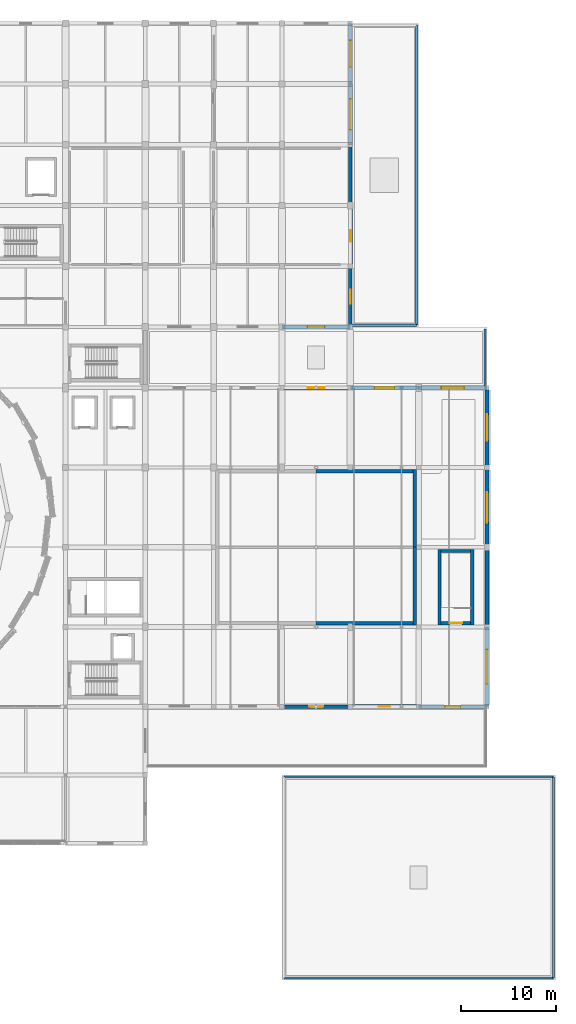
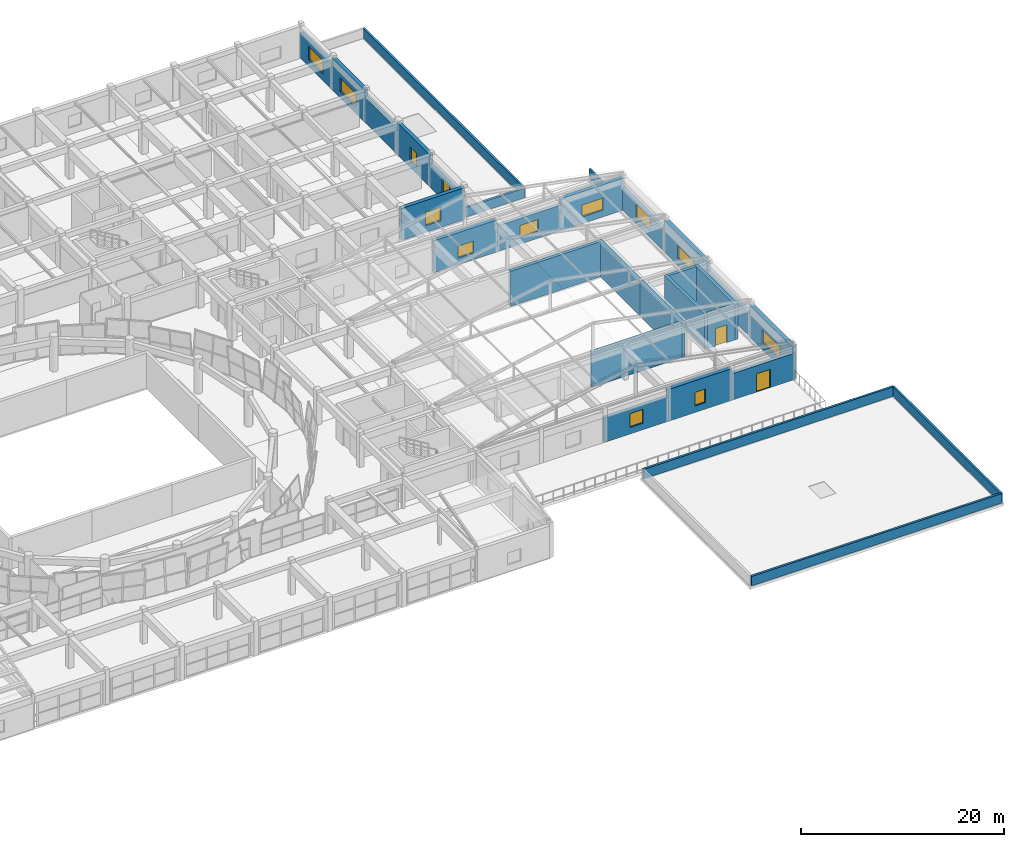
# One storey, part 62 of 74: 30 walls, 13 windows, 2 doors, 15 openings.
"""IFC4 building model written with IfcOpenShell, lengths in metres."""

from ifc_helpers import new_model, si_unit, direction, frame, frame_2d, origin, place, context, subcontext, project, spatial, rectangle, extrude, material, layer, layer_set, type_object, element, fill, save


model = new_model("IFC4")

# Units and contexts
model_context = context("Model", 3, precision=1e-05, world=origin(), true_north=direction((0.0, 1.0)))
body_context = subcontext(model_context, "Body", "Model", "MODEL_VIEW")
ifc_project = project(units=[si_unit("LENGTHUNIT", "METRE"), si_unit("AREAUNIT", "SQUARE_METRE"), si_unit("VOLUMEUNIT", "CUBIC_METRE"), si_unit("PLANEANGLEUNIT", "RADIAN"), si_unit("MASSUNIT", "GRAM", prefix="KILO")], contexts=[model_context])

# Site, building, storey
site_placement = place(None, origin())
site = spatial("IfcSite", under=ifc_project, at=site_placement, CompositionType="ELEMENT")
building_placement = place(site_placement, origin())
building = spatial("IfcBuilding", under=site, at=building_placement, Name="Korsvaeld Concert Hall", CompositionType="ELEMENT")
storey_placement = place(building_placement, frame((0.0, 0.0, 9.0)))
storey = spatial("IfcBuildingStorey", under=building, at=storey_placement, Name="L02", CompositionType="ELEMENT", Elevation=9.0)

# Wall, opening, door
ifc_material_1 = material(Name="Concrete C40/50", Category="concrete")
ifc_layer_1 = layer(ifc_material_1, 0.340087890625)
ifc_layer_set_1 = layer_set([ifc_layer_1], Name="Concrete C40/50")
wall_type_1 = type_object("IfcWallType", Name="WL-CORE-340", PredefinedType="SHEAR", material=ifc_layer_set_1)
wall_1_placement = place(storey_placement, frame((148.77001953125, 52.0, 0.0), z_axis=(0.0, 0.0, 1.0), x_axis=(1.0, 0.0, 0.0)))
wall_1 = element("IfcWall", 1, at=wall_1_placement, inside=storey, type_object=wall_type_1, Name="Core V2S shear wall L02 S", PredefinedType="SHEAR", context=body_context, shape_type="SweptSolid", body=[
    extrude(rectangle(XDim=3.10009765625, YDim=0.340087890625, at=frame_2d((1.550048828125, 0.0))), origin(), (0.0, 0.0, 1.0), 4.199951171875),
])
opening_1_placement = place(wall_1_placement, frame((0.89990234375, 0.0, 0.0)))
opening_1 = element("IfcOpeningElement", 2, at=opening_1_placement, cuts=wall_1, Name="Opening FD-01", PredefinedType="OPENING", context=body_context, shape_type="SweptSolid", body=[
    extrude(rectangle(XDim=1.300048828125, YDim=2.14990234375, at=frame_2d((0.64990234375, 1.074951171875))), frame((0.0, 0.18017578125, 0.0), z_axis=(0.0, -1.0, 0.0), x_axis=(1.0, 0.0, 0.0)), (0.0, 0.0, 1.0), 0.360107421875),
])
ifc_material_2 = material(Name="Acoustic steel and oak fire door", Category="steel")
door_type_1 = type_object("IfcDoorType", Name="DR-FD-STAIR-130x215", OperationType="NOTDEFINED", PredefinedType="DOOR", material=ifc_material_2)
door_1_placement = place(opening_1_placement, origin())
door_1 = element("IfcDoor", 3, at=door_1_placement, inside=storey, type_object=door_type_1, Name="Escape stair ST-F4 fire door L02", OperationType="SINGLE_SWING_RIGHT", OverallHeight=2.14990234375, OverallWidth=1.300048828125, PredefinedType="DOOR", context=body_context, shape_type="SweptSolid", body=[
    extrude(rectangle(XDim=1.300048828125, YDim=2.14990234375, at=frame_2d((0.64990234375, 1.074951171875))), frame((0.0, 0.02490234375, 0.0), z_axis=(0.0, -1.0, 0.0), x_axis=(1.0, 0.0, 0.0)), (0.0, 0.0, 1.0), 0.050048828125),
])
fill(opening_1, door_1)

# Walls
wall_2_placement = place(storey_placement, frame((152.0400390625, 51.830078125, 0.0), z_axis=(0.0, 0.0, 1.0), x_axis=(0.0, 1.0, 0.0)))
element("IfcWall", 4, at=wall_2_placement, inside=storey, type_object=wall_type_1, Name="Core V2S shear wall L02 E", PredefinedType="SHEAR", context=body_context, shape_type="SweptSolid", body=[
    extrude(rectangle(XDim=7.93994140625, YDim=0.340087890625, at=frame_2d((3.969970703125, 0.0))), origin(), (0.0, 0.0, 1.0), 4.199951171875),
])
wall_3_placement = place(storey_placement, frame((151.8701171875, 59.60009765625, 0.0), z_axis=(0.0, 0.0, 1.0), x_axis=(-1.0, 0.0, 0.0)))
element("IfcWall", 5, at=wall_3_placement, inside=storey, type_object=wall_type_1, Name="Core V2S shear wall L02 N", PredefinedType="SHEAR", context=body_context, shape_type="SweptSolid", body=[
    extrude(rectangle(XDim=3.10009765625, YDim=0.340087890625, at=frame_2d((1.550048828125, 0.0))), origin(), (0.0, 0.0, 1.0), 4.199951171875),
])
wall_4_placement = place(storey_placement, frame((148.60009765625, 59.77001953125, 0.0), z_axis=(0.0, 0.0, 1.0), x_axis=(0.0, -1.0, 0.0)))
element("IfcWall", 6, at=wall_4_placement, inside=storey, type_object=wall_type_1, Name="Core V2S shear wall L02 W", PredefinedType="SHEAR", context=body_context, shape_type="SweptSolid", body=[
    extrude(rectangle(XDim=7.93994140625, YDim=0.340087890625, at=frame_2d((3.969970703125, 0.0))), origin(), (0.0, 0.0, 1.0), 4.199951171875),
])

# Wall, opening, window
ifc_material_3 = material(Name="Obernkirchener buff sandstone rainscreen on Concrete C35/45", Category="masonry")
ifc_layer_2 = layer(ifc_material_3, 0.389892578125)
ifc_layer_set_2 = layer_set([ifc_layer_2], Name="Obernkirchener buff sandstone rainscreen on Concrete C35/45")
wall_type_2 = type_object("IfcWallType", Name="WL-EXT-BUFF-390", PredefinedType="STANDARD", material=ifc_layer_set_2)
wall_5_placement = place(storey_placement, frame((139.199951171875, 115.199951171875, 0.0), z_axis=(0.0, 0.0, 1.0), x_axis=(0.0, -1.0, 0.0)))
wall_5 = element("IfcWall", 7, at=wall_5_placement, inside=storey, type_object=wall_type_2, Name="Exterior sandstone wall L02-256", PredefinedType="STANDARD", context=body_context, shape_type="SweptSolid", body=[
    extrude(rectangle(XDim=6.39990234375, YDim=0.389892578125, at=frame_2d((3.199951171875, 0.0))), origin(), (0.0, 0.0, 1.0), 2.989990234375),
])
opening_2_placement = place(wall_5_placement, frame((1.800048828125, 0.0, 0.800048828125)))
opening_2 = element("IfcOpeningElement", 8, at=opening_2_placement, cuts=wall_5, Name="Opening WN-14", PredefinedType="OPENING", context=body_context, shape_type="SweptSolid", body=[
    extrude(rectangle(XDim=2.800048828125, YDim=1.60009765625, at=frame_2d((1.39990234375, 0.800048828125))), frame((0.0, 0.205078125, 0.0), z_axis=(0.0, -1.0, 0.0), x_axis=(1.0, 0.0, 0.0)), (0.0, 0.0, 1.0), 0.409912109375),
])
ifc_material_4 = material(Name="Anodised bronze frame with acoustic triple glazing", Category="glass")
window_type_1 = type_object("IfcWindowType", Name="WIN-AC-280x160", PartitioningType="TRIPLE_PANEL_VERTICAL", PredefinedType="WINDOW", material=ifc_material_4)
window_1_placement = place(opening_2_placement, origin())
window_1 = element("IfcWindow", 9, at=window_1_placement, inside=storey, type_object=window_type_1, Name="Acoustic triple-glazed window L02-160", OverallHeight=1.60009765625, OverallWidth=2.800048828125, PartitioningType="TRIPLE_PANEL_VERTICAL", PredefinedType="WINDOW", context=body_context, shape_type="SweptSolid", body=[
    extrude(rectangle(XDim=2.800048828125, YDim=1.60009765625, at=frame_2d((1.39990234375, 0.800048828125))), frame((0.0, 0.030029296875, 0.0), z_axis=(0.0, -1.0, 0.0), x_axis=(1.0, 0.0, 0.0)), (0.0, 0.0, 1.0), 0.06005859375),
])
fill(opening_2, window_1)

# Wall
wall_6_placement = place(storey_placement, frame((139.199951171875, 102.39990234375, 0.0), z_axis=(0.0, 0.0, 1.0), x_axis=(0.0, -1.0, 0.0)))
element("IfcWall", 10, at=wall_6_placement, inside=storey, type_object=wall_type_2, Name="Exterior sandstone wall L02-258", PredefinedType="STANDARD", context=body_context, shape_type="SweptSolid", body=[
    extrude(rectangle(XDim=6.39990234375, YDim=0.389892578125, at=frame_2d((3.199951171875, 0.0))), origin(), (0.0, 0.0, 1.0), 3.0400390625),
])

# Wall, opening, window
wall_7_placement = place(storey_placement, frame((139.199951171875, 89.60009765625, 0.0), z_axis=(0.0, 0.0, 1.0), x_axis=(0.0, -1.0, 0.0)))
wall_7 = element("IfcWall", 11, at=wall_7_placement, inside=storey, type_object=wall_type_2, Name="Exterior sandstone wall L02-260", PredefinedType="STANDARD", context=body_context, shape_type="SweptSolid", body=[
    extrude(rectangle(XDim=6.400146484375, YDim=0.389892578125, at=frame_2d((3.2001953125, 0.0))), origin(), (0.0, 0.0, 1.0), 2.639892578125),
])
opening_3_placement = place(wall_7_placement, frame((2.449951171875, 0.0, 0.800048828125)))
opening_3 = element("IfcOpeningElement", 12, at=opening_3_placement, cuts=wall_7, Name="Opening WN-02", PredefinedType="OPENING", context=body_context, shape_type="SweptSolid", body=[
    extrude(rectangle(XDim=1.5, YDim=1.64990234375, at=frame_2d((0.75, 0.824951171875))), frame((0.0, 0.205078125, 0.0), z_axis=(0.0, -1.0, 0.0), x_axis=(1.0, 0.0, 0.0)), (0.0, 0.0, 1.0), 0.409912109375),
])
window_type_2 = type_object("IfcWindowType", Name="WIN-AC-150x165", PartitioningType="SINGLE_PANEL", PredefinedType="WINDOW", material=ifc_material_4)
window_2_placement = place(opening_3_placement, origin())
window_2 = element("IfcWindow", 13, at=window_2_placement, inside=storey, type_object=window_type_2, Name="Acoustic triple-glazed window L02-164", OverallHeight=1.64990234375, OverallWidth=1.5, PartitioningType="SINGLE_PANEL", PredefinedType="WINDOW", context=body_context, shape_type="SweptSolid", body=[
    extrude(rectangle(XDim=1.5, YDim=1.64990234375, at=frame_2d((0.75, 0.824951171875))), frame((0.0, 0.030029296875, 0.0), z_axis=(0.0, -1.0, 0.0), x_axis=(1.0, 0.0, 0.0)), (0.0, 0.0, 1.0), 0.06005859375),
])
fill(opening_3, window_2)

wall_8_placement = place(storey_placement, frame((139.199951171875, 76.800048828125, 0.0), z_axis=(0.0, 0.0, 1.0), x_axis=(1.0, 0.0, 0.0)))
wall_8 = element("IfcWall", 14, at=wall_8_placement, inside=storey, type_object=wall_type_2, Name="Exterior sandstone wall L02-268", PredefinedType="STANDARD", context=body_context, shape_type="SweptSolid", body=[
    extrude(rectangle(XDim=7.199951171875, YDim=0.389892578125, at=frame_2d((3.60009765625, 0.0))), origin(), (0.0, 0.0, 1.0), 3.090087890625),
])
opening_4_placement = place(wall_8_placement, frame((2.550048828125, 0.0, 0.800048828125)))
opening_4 = element("IfcOpeningElement", 15, at=opening_4_placement, cuts=wall_8, Name="Opening WN-09", PredefinedType="OPENING", context=body_context, shape_type="SweptSolid", body=[
    extrude(rectangle(XDim=2.10009765625, YDim=1.449951171875, at=frame_2d((1.050048828125, 0.72509765625))), frame((0.0, 0.205078125, 0.0), z_axis=(0.0, -1.0, 0.0), x_axis=(1.0, 0.0, 0.0)), (0.0, 0.0, 1.0), 0.409912109375),
])
window_type_3 = type_object("IfcWindowType", Name="WIN-AC-210x145", PartitioningType="SINGLE_PANEL", PredefinedType="WINDOW", material=ifc_material_4)
window_3_placement = place(opening_4_placement, origin())
window_3 = element("IfcWindow", 16, at=window_3_placement, inside=storey, type_object=window_type_3, Name="Acoustic triple-glazed window L02-171", OverallHeight=1.449951171875, OverallWidth=2.10009765625, PartitioningType="SINGLE_PANEL", PredefinedType="WINDOW", context=body_context, shape_type="SweptSolid", body=[
    extrude(rectangle(XDim=2.10009765625, YDim=1.449951171875, at=frame_2d((1.050048828125, 0.72509765625))), frame((0.0, 0.030029296875, 0.0), z_axis=(0.0, -1.0, 0.0), x_axis=(1.0, 0.0, 0.0)), (0.0, 0.0, 1.0), 0.06005859375),
])
fill(opening_4, window_3)

wall_9_placement = place(storey_placement, frame((153.60009765625, 76.800048828125, 0.0), z_axis=(0.0, 0.0, 1.0), x_axis=(0.0, -1.0, 0.0)))
wall_9 = element("IfcWall", 17, at=wall_9_placement, inside=storey, type_object=wall_type_2, Name="Exterior sandstone wall L02-270", PredefinedType="STANDARD", context=body_context, shape_type="SweptSolid", body=[
    extrude(rectangle(XDim=8.400146484375, YDim=0.389892578125, at=frame_2d((4.2001953125, 0.0))), origin(), (0.0, 0.0, 1.0), 2.639892578125),
])
opening_5_placement = place(wall_9_placement, frame((2.800048828125, 0.0, 0.800048828125)))
opening_5 = element("IfcOpeningElement", 18, at=opening_5_placement, cuts=wall_9, Name="Opening WN-14", PredefinedType="OPENING", context=body_context, shape_type="SweptSolid", body=[
    extrude(rectangle(XDim=2.800048828125, YDim=1.60009765625, at=frame_2d((1.39990234375, 0.800048828125))), frame((0.0, 0.205078125, 0.0), z_axis=(0.0, -1.0, 0.0), x_axis=(1.0, 0.0, 0.0)), (0.0, 0.0, 1.0), 0.409912109375),
])
window_4_placement = place(opening_5_placement, origin())
window_4 = element("IfcWindow", 19, at=window_4_placement, inside=storey, type_object=window_type_1, Name="Acoustic triple-glazed window L02-173", OverallHeight=1.60009765625, OverallWidth=2.800048828125, PartitioningType="TRIPLE_PANEL_VERTICAL", PredefinedType="WINDOW", context=body_context, shape_type="SweptSolid", body=[
    extrude(rectangle(XDim=2.800048828125, YDim=1.60009765625, at=frame_2d((1.39990234375, 0.800048828125))), frame((0.0, 0.030029296875, 0.0), z_axis=(0.0, -1.0, 0.0), x_axis=(1.0, 0.0, 0.0)), (0.0, 0.0, 1.0), 0.06005859375),
])
fill(opening_5, window_4)

# Wall
wall_10_placement = place(storey_placement, frame((153.60009765625, 60.0, 0.0), z_axis=(0.0, 0.0, 1.0), x_axis=(0.0, -1.0, 0.0)))
element("IfcWall", 20, at=wall_10_placement, inside=storey, type_object=wall_type_2, Name="Exterior sandstone wall L02-272", PredefinedType="STANDARD", context=body_context, shape_type="SweptSolid", body=[
    extrude(rectangle(XDim=8.39990234375, YDim=0.389892578125, at=frame_2d((4.199951171875, 0.0))), origin(), (0.0, 0.0, 1.0), 2.739990234375),
])

# Wall, opening, door
wall_11_placement = place(storey_placement, frame((153.60009765625, 43.199951171875, 0.0), z_axis=(0.0, 0.0, 1.0), x_axis=(-1.0, 0.0, 0.0)))
wall_11 = element("IfcWall", 21, at=wall_11_placement, inside=storey, type_object=wall_type_2, Name="Exterior sandstone wall L02-274", PredefinedType="STANDARD", context=body_context, shape_type="SweptSolid", body=[
    extrude(rectangle(XDim=7.2001953125, YDim=0.389892578125, at=frame_2d((3.60009765625, 0.0))), origin(), (0.0, 0.0, 1.0), 3.18994140625),
])
opening_6_placement = place(wall_11_placement, frame((2.800048828125, 0.0, 0.0)))
opening_6 = element("IfcOpeningElement", 22, at=opening_6_placement, cuts=wall_11, Name="Opening TD-02", PredefinedType="OPENING", context=body_context, shape_type="SweptSolid", body=[
    extrude(rectangle(XDim=1.60009765625, YDim=2.199951171875, at=frame_2d((0.800048828125, 1.10009765625))), frame((0.0, 0.205078125, 0.0), z_axis=(0.0, -1.0, 0.0), x_axis=(1.0, 0.0, 0.0)), (0.0, 0.0, 1.0), 0.409912109375),
])
ifc_material_5 = material(Name="Anodised bronze terrace door")
door_type_2 = type_object("IfcDoorType", Name="DR-TER-160x220", OperationType="DOUBLE_DOOR_SINGLE_SWING", PredefinedType="DOOR", material=ifc_material_5)
door_2_placement = place(opening_6_placement, frame((1.60009765625, 0.0, 0.0), z_axis=(0.0, 0.0, 1.0), x_axis=(-1.0, 0.0, 0.0)))
door_2 = element("IfcDoor", 23, at=door_2_placement, inside=storey, type_object=door_type_2, Name="Roof-garden terrace access door TER_L02_E", OperationType="DOUBLE_DOOR_SINGLE_SWING", OverallHeight=2.199951171875, OverallWidth=1.60009765625, PredefinedType="DOOR", context=body_context, shape_type="SweptSolid", body=[
    extrude(rectangle(XDim=1.60009765625, YDim=2.199951171875, at=frame_2d((0.800048828125, 1.10009765625))), frame((0.0, 0.02490234375, 0.0), z_axis=(0.0, -1.0, 0.0), x_axis=(1.0, 0.0, 0.0)), (0.0, 0.0, 1.0), 0.050048828125),
])
fill(opening_6, door_2)

# Wall, opening, window
wall_12_placement = place(storey_placement, frame((139.199951171875, 43.199951171875, 0.0), z_axis=(0.0, 0.0, 1.0), x_axis=(-1.0, 0.0, 0.0)))
wall_12 = element("IfcWall", 24, at=wall_12_placement, inside=storey, type_object=wall_type_2, Name="Exterior sandstone wall L02-276", PredefinedType="STANDARD", context=body_context, shape_type="SweptSolid", body=[
    extrude(rectangle(XDim=7.199951171875, YDim=0.389892578125, at=frame_2d((3.60009765625, 0.0))), origin(), (0.0, 0.0, 1.0), 2.93994140625),
])
opening_7_placement = place(wall_12_placement, frame((2.85009765625, 0.0, 0.800048828125)))
opening_7 = element("IfcOpeningElement", 25, at=opening_7_placement, cuts=wall_12, Name="Opening WN-02", PredefinedType="OPENING", context=body_context, shape_type="SweptSolid", body=[
    extrude(rectangle(XDim=1.5, YDim=1.64990234375, at=frame_2d((0.75, 0.824951171875))), frame((0.0, 0.205078125, 0.0), z_axis=(0.0, -1.0, 0.0), x_axis=(1.0, 0.0, 0.0)), (0.0, 0.0, 1.0), 0.409912109375),
])
window_5_placement = place(opening_7_placement, origin())
window_5 = element("IfcWindow", 26, at=window_5_placement, inside=storey, type_object=window_type_2, Name="Acoustic triple-glazed window L02-177", OverallHeight=1.64990234375, OverallWidth=1.5, PartitioningType="SINGLE_PANEL", PredefinedType="WINDOW", context=body_context, shape_type="SweptSolid", body=[
    extrude(rectangle(XDim=1.5, YDim=1.64990234375, at=frame_2d((0.75, 0.824951171875))), frame((0.0, 0.030029296875, 0.0), z_axis=(0.0, -1.0, 0.0), x_axis=(1.0, 0.0, 0.0)), (0.0, 0.0, 1.0), 0.06005859375),
])
fill(opening_7, window_5)

ifc_material_6 = material(Name="Bornholm Nexo rose-red sandstone rainscreen on Concrete C35/45", Category="masonry")
ifc_layer_3 = layer(ifc_material_6, 0.419921875)
ifc_layer_set_3 = layer_set([ifc_layer_3], Name="Bornholm Nexo rose-red sandstone rainscreen on Concrete C35/45")
wall_type_3 = type_object("IfcWallType", Name="WL-EXT-NEXO-420", PredefinedType="STANDARD", material=ifc_layer_set_3)
wall_13_placement = place(storey_placement, frame((139.199951171875, 108.800048828125, 0.0), z_axis=(0.0, 0.0, 1.0), x_axis=(0.0, -1.0, 0.0)))
wall_13 = element("IfcWall", 27, at=wall_13_placement, inside=storey, type_object=wall_type_3, Name="Exterior sandstone wall L02-257", PredefinedType="STANDARD", context=body_context, shape_type="SweptSolid", body=[
    extrude(rectangle(XDim=6.400146484375, YDim=0.419921875, at=frame_2d((3.2001953125, 0.0))), origin(), (0.0, 0.0, 1.0), 3.840087890625),
])
opening_8_placement = place(wall_13_placement, frame((1.60009765625, 0.0, 0.800048828125)))
opening_8 = element("IfcOpeningElement", 28, at=opening_8_placement, cuts=wall_13, Name="Opening WN-15", PredefinedType="OPENING", context=body_context, shape_type="SweptSolid", body=[
    extrude(rectangle(XDim=3.199951171875, YDim=1.60009765625, at=frame_2d((1.60009765625, 0.800048828125))), frame((0.0, 0.219970703125, 0.0), z_axis=(0.0, -1.0, 0.0), x_axis=(1.0, 0.0, 0.0)), (0.0, 0.0, 1.0), 0.43994140625),
])
window_type_4 = type_object("IfcWindowType", Name="WIN-AC-320x160", PartitioningType="TRIPLE_PANEL_VERTICAL", PredefinedType="WINDOW", material=ifc_material_4)
window_6_placement = place(opening_8_placement, origin())
window_6 = element("IfcWindow", 29, at=window_6_placement, inside=storey, type_object=window_type_4, Name="Acoustic triple-glazed window L02-161", OverallHeight=1.60009765625, OverallWidth=3.199951171875, PartitioningType="TRIPLE_PANEL_VERTICAL", PredefinedType="WINDOW", context=body_context, shape_type="SweptSolid", body=[
    extrude(rectangle(XDim=3.199951171875, YDim=1.60009765625, at=frame_2d((1.60009765625, 0.800048828125))), frame((0.0, 0.030029296875, 0.0), z_axis=(0.0, -1.0, 0.0), x_axis=(1.0, 0.0, 0.0)), (0.0, 0.0, 1.0), 0.06005859375),
])
fill(opening_8, window_6)

wall_14_placement = place(storey_placement, frame((139.199951171875, 96.0, 0.0), z_axis=(0.0, 0.0, 1.0), x_axis=(0.0, -1.0, 0.0)))
wall_14 = element("IfcWall", 30, at=wall_14_placement, inside=storey, type_object=wall_type_3, Name="Exterior sandstone wall L02-259", PredefinedType="STANDARD", context=body_context, shape_type="SweptSolid", body=[
    extrude(rectangle(XDim=6.39990234375, YDim=0.419921875, at=frame_2d((3.199951171875, 0.0))), origin(), (0.0, 0.0, 1.0), 3.840087890625),
])
opening_9_placement = place(wall_14_placement, frame((2.60009765625, 0.0, 0.800048828125)))
opening_9 = element("IfcOpeningElement", 31, at=opening_9_placement, cuts=wall_14, Name="Opening WN-01", PredefinedType="OPENING", context=body_context, shape_type="SweptSolid", body=[
    extrude(rectangle(XDim=1.199951171875, YDim=1.64990234375, at=frame_2d((0.60009765625, 0.824951171875))), frame((0.0, 0.219970703125, 0.0), z_axis=(0.0, -1.0, 0.0), x_axis=(1.0, 0.0, 0.0)), (0.0, 0.0, 1.0), 0.43994140625),
])
window_type_5 = type_object("IfcWindowType", Name="WIN-AC-120x165", PartitioningType="SINGLE_PANEL", PredefinedType="WINDOW", material=ifc_material_4)
window_7_placement = place(opening_9_placement, origin())
window_7 = element("IfcWindow", 32, at=window_7_placement, inside=storey, type_object=window_type_5, Name="Acoustic triple-glazed window L02-163", OverallHeight=1.64990234375, OverallWidth=1.199951171875, PartitioningType="SINGLE_PANEL", PredefinedType="WINDOW", context=body_context, shape_type="SweptSolid", body=[
    extrude(rectangle(XDim=1.199951171875, YDim=1.64990234375, at=frame_2d((0.60009765625, 0.824951171875))), frame((0.0, 0.030029296875, 0.0), z_axis=(0.0, -1.0, 0.0), x_axis=(1.0, 0.0, 0.0)), (0.0, 0.0, 1.0), 0.06005859375),
])
fill(opening_9, window_7)

wall_15_placement = place(storey_placement, frame((139.199951171875, 83.199951171875, 0.0), z_axis=(0.0, 0.0, 1.0), x_axis=(-1.0, 0.0, 0.0)))
wall_15 = element("IfcWall", 33, at=wall_15_placement, inside=storey, type_object=wall_type_3, Name="Exterior sandstone wall L02-261", PredefinedType="STANDARD", context=body_context, shape_type="SweptSolid", body=[
    extrude(rectangle(XDim=7.199951171875, YDim=0.419921875, at=frame_2d((3.60009765625, 0.0))), origin(), (0.0, 0.0, 1.0), 3.840087890625),
])
opening_10_placement = place(wall_15_placement, frame((2.699951171875, 0.0, 0.800048828125)))
opening_10 = element("IfcOpeningElement", 34, at=opening_10_placement, cuts=wall_15, Name="Opening WN-03", PredefinedType="OPENING", context=body_context, shape_type="SweptSolid", body=[
    extrude(rectangle(XDim=1.800048828125, YDim=1.64990234375, at=frame_2d((0.89990234375, 0.824951171875))), frame((0.0, 0.219970703125, 0.0), z_axis=(0.0, -1.0, 0.0), x_axis=(1.0, 0.0, 0.0)), (0.0, 0.0, 1.0), 0.43994140625),
])
window_type_6 = type_object("IfcWindowType", Name="WIN-AC-180x165", PartitioningType="SINGLE_PANEL", PredefinedType="WINDOW", material=ifc_material_4)
window_8_placement = place(opening_10_placement, origin())
window_8 = element("IfcWindow", 35, at=window_8_placement, inside=storey, type_object=window_type_6, Name="Acoustic triple-glazed window L02-165", OverallHeight=1.64990234375, OverallWidth=1.800048828125, PartitioningType="SINGLE_PANEL", PredefinedType="WINDOW", context=body_context, shape_type="SweptSolid", body=[
    extrude(rectangle(XDim=1.800048828125, YDim=1.64990234375, at=frame_2d((0.89990234375, 0.824951171875))), frame((0.0, 0.030029296875, 0.0), z_axis=(0.0, -1.0, 0.0), x_axis=(1.0, 0.0, 0.0)), (0.0, 0.0, 1.0), 0.06005859375),
])
fill(opening_10, window_8)

wall_16_placement = place(storey_placement, frame((132.0, 76.800048828125, 0.0), z_axis=(0.0, 0.0, 1.0), x_axis=(1.0, 0.0, 0.0)))
wall_16 = element("IfcWall", 36, at=wall_16_placement, inside=storey, type_object=wall_type_3, Name="Exterior sandstone wall L02-267", PredefinedType="STANDARD", context=body_context, shape_type="SweptSolid", body=[
    extrude(rectangle(XDim=7.199951171875, YDim=0.419921875, at=frame_2d((3.60009765625, 0.0))), origin(), (0.0, 0.0, 1.0), 3.840087890625),
])
opening_11_placement = place(wall_16_placement, frame((2.699951171875, 0.0, 0.800048828125)))
opening_11 = element("IfcOpeningElement", 37, at=opening_11_placement, cuts=wall_16, Name="Opening WN-08", PredefinedType="OPENING", context=body_context, shape_type="SweptSolid", body=[
    extrude(rectangle(XDim=1.800048828125, YDim=1.449951171875, at=frame_2d((0.89990234375, 0.72509765625))), frame((0.0, 0.219970703125, 0.0), z_axis=(0.0, -1.0, 0.0), x_axis=(1.0, 0.0, 0.0)), (0.0, 0.0, 1.0), 0.43994140625),
])
window_type_7 = type_object("IfcWindowType", Name="WIN-AC-180x145", PartitioningType="SINGLE_PANEL", PredefinedType="WINDOW", material=ifc_material_4)
window_9_placement = place(opening_11_placement, origin())
window_9 = element("IfcWindow", 38, at=window_9_placement, inside=storey, type_object=window_type_7, Name="Acoustic triple-glazed window L02-170", OverallHeight=1.449951171875, OverallWidth=1.800048828125, PartitioningType="SINGLE_PANEL", PredefinedType="WINDOW", context=body_context, shape_type="SweptSolid", body=[
    extrude(rectangle(XDim=1.800048828125, YDim=1.449951171875, at=frame_2d((0.89990234375, 0.72509765625))), frame((0.0, 0.030029296875, 0.0), z_axis=(0.0, -1.0, 0.0), x_axis=(1.0, 0.0, 0.0)), (0.0, 0.0, 1.0), 0.06005859375),
])
fill(opening_11, window_9)

wall_17_placement = place(storey_placement, frame((146.39990234375, 76.800048828125, 0.0), z_axis=(0.0, 0.0, 1.0), x_axis=(1.0, 0.0, 0.0)))
wall_17 = element("IfcWall", 39, at=wall_17_placement, inside=storey, type_object=wall_type_3, Name="Exterior sandstone wall L02-269", PredefinedType="STANDARD", context=body_context, shape_type="SweptSolid", body=[
    extrude(rectangle(XDim=7.2001953125, YDim=0.419921875, at=frame_2d((3.60009765625, 0.0))), origin(), (0.0, 0.0, 1.0), 3.840087890625),
])
opening_12_placement = place(wall_17_placement, frame((2.39990234375, 0.0, 0.800048828125)))
opening_12 = element("IfcOpeningElement", 40, at=opening_12_placement, cuts=wall_17, Name="Opening WN-10", PredefinedType="OPENING", context=body_context, shape_type="SweptSolid", body=[
    extrude(rectangle(XDim=2.39990234375, YDim=1.449951171875, at=frame_2d((1.199951171875, 0.72509765625))), frame((0.0, 0.219970703125, 0.0), z_axis=(0.0, -1.0, 0.0), x_axis=(1.0, 0.0, 0.0)), (0.0, 0.0, 1.0), 0.43994140625),
])
window_type_8 = type_object("IfcWindowType", Name="WIN-AC-240x145", PartitioningType="TRIPLE_PANEL_VERTICAL", PredefinedType="WINDOW", material=ifc_material_4)
window_10_placement = place(opening_12_placement, origin())
window_10 = element("IfcWindow", 41, at=window_10_placement, inside=storey, type_object=window_type_8, Name="Acoustic triple-glazed window L02-172", OverallHeight=1.449951171875, OverallWidth=2.39990234375, PartitioningType="TRIPLE_PANEL_VERTICAL", PredefinedType="WINDOW", context=body_context, shape_type="SweptSolid", body=[
    extrude(rectangle(XDim=2.39990234375, YDim=1.449951171875, at=frame_2d((1.199951171875, 0.72509765625))), frame((0.0, 0.030029296875, 0.0), z_axis=(0.0, -1.0, 0.0), x_axis=(1.0, 0.0, 0.0)), (0.0, 0.0, 1.0), 0.06005859375),
])
fill(opening_12, window_10)

wall_18_placement = place(storey_placement, frame((153.60009765625, 68.39990234375, 0.0), z_axis=(0.0, 0.0, 1.0), x_axis=(0.0, -1.0, 0.0)))
wall_18 = element("IfcWall", 42, at=wall_18_placement, inside=storey, type_object=wall_type_3, Name="Exterior sandstone wall L02-271", PredefinedType="STANDARD", context=body_context, shape_type="SweptSolid", body=[
    extrude(rectangle(XDim=8.39990234375, YDim=0.419921875, at=frame_2d((4.199951171875, 0.0))), origin(), (0.0, 0.0, 1.0), 3.840087890625),
])
opening_13_placement = place(wall_18_placement, frame((2.60009765625, 0.0, 0.800048828125)))
opening_13 = element("IfcOpeningElement", 43, at=opening_13_placement, cuts=wall_18, Name="Opening WN-15", PredefinedType="OPENING", context=body_context, shape_type="SweptSolid", body=[
    extrude(rectangle(XDim=3.199951171875, YDim=1.60009765625, at=frame_2d((1.60009765625, 0.800048828125))), frame((0.0, 0.219970703125, 0.0), z_axis=(0.0, -1.0, 0.0), x_axis=(1.0, 0.0, 0.0)), (0.0, 0.0, 1.0), 0.43994140625),
])
window_11_placement = place(opening_13_placement, origin())
window_11 = element("IfcWindow", 44, at=window_11_placement, inside=storey, type_object=window_type_4, Name="Acoustic triple-glazed window L02-174", OverallHeight=1.60009765625, OverallWidth=3.199951171875, PartitioningType="TRIPLE_PANEL_VERTICAL", PredefinedType="WINDOW", context=body_context, shape_type="SweptSolid", body=[
    extrude(rectangle(XDim=3.199951171875, YDim=1.60009765625, at=frame_2d((1.60009765625, 0.800048828125))), frame((0.0, 0.030029296875, 0.0), z_axis=(0.0, -1.0, 0.0), x_axis=(1.0, 0.0, 0.0)), (0.0, 0.0, 1.0), 0.06005859375),
])
fill(opening_13, window_11)

wall_19_placement = place(storey_placement, frame((153.60009765625, 51.60009765625, 0.0), z_axis=(0.0, 0.0, 1.0), x_axis=(0.0, -1.0, 0.0)))
wall_19 = element("IfcWall", 45, at=wall_19_placement, inside=storey, type_object=wall_type_3, Name="Exterior sandstone wall L02-273", PredefinedType="STANDARD", context=body_context, shape_type="SweptSolid", body=[
    extrude(rectangle(XDim=8.400146484375, YDim=0.419921875, at=frame_2d((4.2001953125, 0.0))), origin(), (0.0, 0.0, 1.0), 3.840087890625),
])
opening_14_placement = place(wall_19_placement, frame((2.39990234375, 0.0, 0.800048828125)))
opening_14 = element("IfcOpeningElement", 46, at=opening_14_placement, cuts=wall_19, Name="Opening WN-16", PredefinedType="OPENING", context=body_context, shape_type="SweptSolid", body=[
    extrude(rectangle(XDim=3.60009765625, YDim=1.60009765625, at=frame_2d((1.800048828125, 0.800048828125))), frame((0.0, 0.219970703125, 0.0), z_axis=(0.0, -1.0, 0.0), x_axis=(1.0, 0.0, 0.0)), (0.0, 0.0, 1.0), 0.43994140625),
])
window_type_9 = type_object("IfcWindowType", Name="WIN-AC-360x160", PartitioningType="TRIPLE_PANEL_VERTICAL", PredefinedType="WINDOW", material=ifc_material_4)
window_12_placement = place(opening_14_placement, origin())
window_12 = element("IfcWindow", 47, at=window_12_placement, inside=storey, type_object=window_type_9, Name="Acoustic triple-glazed window L02-175", OverallHeight=1.60009765625, OverallWidth=3.60009765625, PartitioningType="TRIPLE_PANEL_VERTICAL", PredefinedType="WINDOW", context=body_context, shape_type="SweptSolid", body=[
    extrude(rectangle(XDim=3.60009765625, YDim=1.60009765625, at=frame_2d((1.800048828125, 0.800048828125))), frame((0.0, 0.030029296875, 0.0), z_axis=(0.0, -1.0, 0.0), x_axis=(1.0, 0.0, 0.0)), (0.0, 0.0, 1.0), 0.06005859375),
])
fill(opening_14, window_12)

wall_20_placement = place(storey_placement, frame((146.39990234375, 43.199951171875, 0.0), z_axis=(0.0, 0.0, 1.0), x_axis=(-1.0, 0.0, 0.0)))
wall_20 = element("IfcWall", 48, at=wall_20_placement, inside=storey, type_object=wall_type_3, Name="Exterior sandstone wall L02-275", PredefinedType="STANDARD", context=body_context, shape_type="SweptSolid", body=[
    extrude(rectangle(XDim=7.199951171875, YDim=0.419921875, at=frame_2d((3.60009765625, 0.0))), origin(), (0.0, 0.0, 1.0), 3.840087890625),
])
opening_15_placement = place(wall_20_placement, frame((3.0, 0.0, 0.800048828125)))
opening_15 = element("IfcOpeningElement", 49, at=opening_15_placement, cuts=wall_20, Name="Opening WN-01", PredefinedType="OPENING", context=body_context, shape_type="SweptSolid", body=[
    extrude(rectangle(XDim=1.199951171875, YDim=1.64990234375, at=frame_2d((0.60009765625, 0.824951171875))), frame((0.0, 0.219970703125, 0.0), z_axis=(0.0, -1.0, 0.0), x_axis=(1.0, 0.0, 0.0)), (0.0, 0.0, 1.0), 0.43994140625),
])
window_13_placement = place(opening_15_placement, origin())
window_13 = element("IfcWindow", 50, at=window_13_placement, inside=storey, type_object=window_type_5, Name="Acoustic triple-glazed window L02-176", OverallHeight=1.64990234375, OverallWidth=1.199951171875, PartitioningType="SINGLE_PANEL", PredefinedType="WINDOW", context=body_context, shape_type="SweptSolid", body=[
    extrude(rectangle(XDim=1.199951171875, YDim=1.64990234375, at=frame_2d((0.60009765625, 0.824951171875))), frame((0.0, 0.030029296875, 0.0), z_axis=(0.0, -1.0, 0.0), x_axis=(1.0, 0.0, 0.0)), (0.0, 0.0, 1.0), 0.06005859375),
])
fill(opening_15, window_13)

# Walls
ifc_material_7 = material(Name="Bornholm Nexo crimson sandstone on Concrete C40/50", Category="masonry")
ifc_layer_4 = layer(ifc_material_7, 0.360107421875)
ifc_layer_set_4 = layer_set([ifc_layer_4], Name="Bornholm Nexo crimson sandstone on Concrete C40/50")
wall_type_4 = type_object("IfcWallType", Name="WL-HALL-360", PredefinedType="SHEAR", material=ifc_layer_set_4)
wall_21_placement = place(storey_placement, frame((135.60009765625, 52.0, 0.0), z_axis=(0.0, 0.0, 1.0), x_axis=(1.0, 0.0, 0.0)))
element("IfcWall", 51, at=wall_21_placement, inside=storey, type_object=wall_type_4, Name="Acoustic hall box wall V2H L02 S.2", PredefinedType="SHEAR", context=body_context, shape_type="SweptSolid", body=[
    extrude(rectangle(XDim=10.219970703125, YDim=0.360107421875, at=frame_2d((5.10986328125, 0.0))), origin(), (0.0, 0.0, 1.0), 4.199951171875),
])
for number, where, z_axis, x_axis, name in (
    (52, (146.0, 51.820068359375, 0.0), (0.0, 0.0, 1.0), (0.0, 1.0, 0.0), "Acoustic hall box wall V2H L02 E.1"),
    (53, (146.0, 60.0, 0.0), (0.0, 0.0, 1.0), (0.0, 1.0, 0.0), "Acoustic hall box wall V2H L02 E.2"),
):
    element("IfcWall", number, at=place(storey_placement, frame(where, z_axis=z_axis, x_axis=x_axis)), inside=storey, type_object=wall_type_4, Name=name, PredefinedType="SHEAR", context=body_context, shape_type="SweptSolid", body=[
        extrude(rectangle(XDim=8.179931640625, YDim=0.360107421875, at=frame_2d((4.08984375, 0.0))), origin(), (0.0, 0.0, 1.0), 4.199951171875),
    ])
wall_22_placement = place(storey_placement, frame((145.820068359375, 68.0, 0.0), z_axis=(0.0, 0.0, 1.0), x_axis=(-1.0, 0.0, 0.0)))
element("IfcWall", 54, at=wall_22_placement, inside=storey, type_object=wall_type_4, Name="Acoustic hall box wall V2H L02 N.1", PredefinedType="SHEAR", context=body_context, shape_type="SweptSolid", body=[
    extrude(rectangle(XDim=10.219970703125, YDim=0.360107421875, at=frame_2d((5.10986328125, 0.0))), origin(), (0.0, 0.0, 1.0), 4.199951171875),
])
ifc_material_8 = material(Name="Bornholm Nexo sandstone parapet on Concrete C35/45", Category="masonry")
ifc_layer_5 = layer(ifc_material_8, 0.239990234375)
ifc_layer_set_5 = layer_set([ifc_layer_5], Name="Bornholm Nexo sandstone parapet on Concrete C35/45")
wall_type_5 = type_object("IfcWallType", Name="WL-PARAPET-240", PredefinedType="PARAPET", material=ifc_layer_set_5)
wall_23_placement = place(storey_placement, frame((132.199951171875, 14.60009765625, 0.0), z_axis=(0.0, 0.0, 1.0), x_axis=(1.0, 0.0, 0.0)))
element("IfcWall", 55, at=wall_23_placement, inside=storey, type_object=wall_type_5, Name="Roof parapet SLB-ROOF_L02_SE-1", PredefinedType="PARAPET", context=body_context, shape_type="SweptSolid", body=[
    extrude(rectangle(XDim=28.400146484375, YDim=0.239990234375, at=frame_2d((14.2001953125, 0.0))), origin(), (0.0, 0.0, 1.0), 1.14990234375),
])
wall_24_placement = place(storey_placement, frame((160.60009765625, 14.60009765625, 0.0), z_axis=(0.0, 0.0, 1.0), x_axis=(0.0, 1.0, 0.0)))
element("IfcWall", 56, at=wall_24_placement, inside=storey, type_object=wall_type_5, Name="Roof parapet SLB-ROOF_L02_SE-2", PredefinedType="PARAPET", context=body_context, shape_type="SweptSolid", body=[
    extrude(rectangle(XDim=21.199951171875, YDim=0.239990234375, at=frame_2d((10.60009765625, 0.0))), origin(), (0.0, 0.0, 1.0), 1.14990234375),
])
wall_25_placement = place(storey_placement, frame((160.60009765625, 35.800048828125, 0.0), z_axis=(0.0, 0.0, 1.0), x_axis=(-1.0, 0.0, 0.0)))
element("IfcWall", 57, at=wall_25_placement, inside=storey, type_object=wall_type_5, Name="Roof parapet SLB-ROOF_L02_SE-3", PredefinedType="PARAPET", context=body_context, shape_type="SweptSolid", body=[
    extrude(rectangle(XDim=28.400146484375, YDim=0.239990234375, at=frame_2d((14.2001953125, 0.0))), origin(), (0.0, 0.0, 1.0), 1.14990234375),
])
wall_26_placement = place(storey_placement, frame((139.39990234375, 83.39990234375, 0.0), z_axis=(0.0, 0.0, 1.0), x_axis=(1.0, 0.0, 0.0)))
element("IfcWall", 58, at=wall_26_placement, inside=storey, type_object=wall_type_5, Name="Roof parapet SLB-ROOF_L02_NE-1", PredefinedType="PARAPET", context=body_context, shape_type="SweptSolid", body=[
    extrude(rectangle(XDim=6.800048828125, YDim=0.239990234375, at=frame_2d((3.39990234375, 0.0))), origin(), (0.0, 0.0, 1.0), 1.14990234375),
])
wall_27_placement = place(storey_placement, frame((146.199951171875, 83.39990234375, 0.0), z_axis=(0.0, 0.0, 1.0), x_axis=(0.0, 1.0, 0.0)))
element("IfcWall", 59, at=wall_27_placement, inside=storey, type_object=wall_type_5, Name="Roof parapet SLB-ROOF_L02_NE-2", PredefinedType="PARAPET", context=body_context, shape_type="SweptSolid", body=[
    extrude(rectangle(XDim=31.60009765625, YDim=0.239990234375, at=frame_2d((15.800048828125, 0.0))), origin(), (0.0, 0.0, 1.0), 1.14990234375),
])
wall_28_placement = place(storey_placement, frame((153.39990234375, 77.0, 0.0), z_axis=(0.0, 0.0, 1.0), x_axis=(0.0, 1.0, 0.0)))
element("IfcWall", 60, at=wall_28_placement, inside=storey, type_object=wall_type_5, Name="Roof parapet SLB-ROOF_L02_V2N-2", PredefinedType="PARAPET", context=body_context, shape_type="SweptSolid", body=[
    extrude(rectangle(XDim=6.0, YDim=0.239990234375, at=frame_2d((3.0, 0.0))), origin(), (0.0, 0.0, 1.0), 1.14990234375),
])

save(model, "model.ifc")
